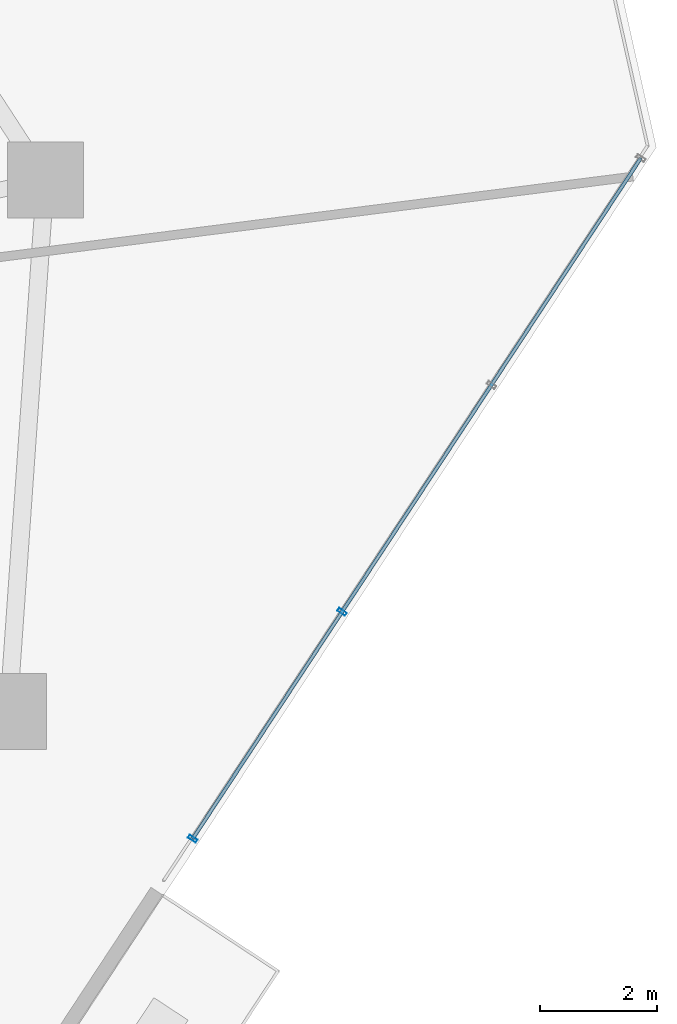
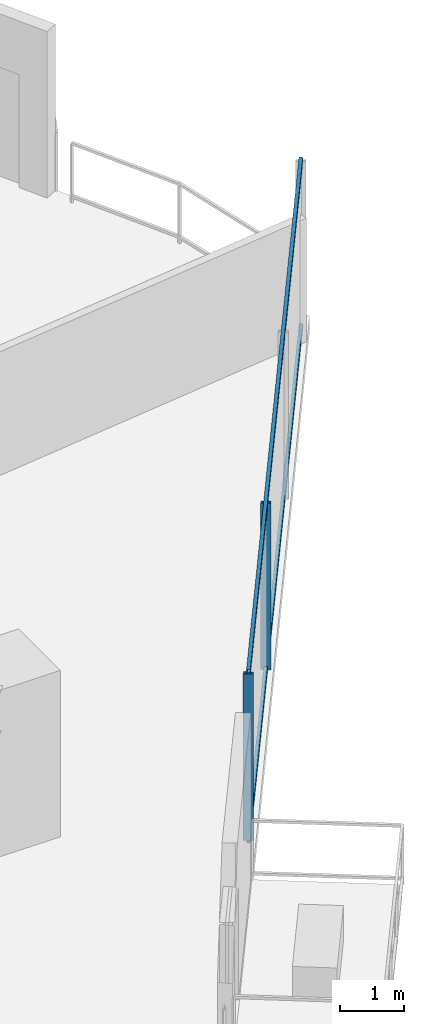
# One storey, part 11 of 28: 4 members, 1 element without a shape of its own.
"""IFC4 building model written with IfcOpenShell, lengths in metres."""

from ifc_helpers import new_model, si_unit, direction, frame, origin, origin_2d, place, context, subcontext, project, spatial, hollow_rectangle, extrude, material, layer, layer_set, material_profile, profile_set, type_object, element, aggregate, save


model = new_model("IFC4")

# Units and contexts
model_context = context("Model", 3, precision=1e-05, world=origin(), true_north=direction((0.0, 1.0)))
body_context = subcontext(model_context, "Body", "Model", "MODEL_VIEW")
ifc_project = project(units=[si_unit("LENGTHUNIT", "METRE"), si_unit("AREAUNIT", "SQUARE_METRE"), si_unit("VOLUMEUNIT", "CUBIC_METRE"), si_unit("PLANEANGLEUNIT", "RADIAN"), si_unit("MASSUNIT", "GRAM", prefix="KILO")], contexts=[model_context])

# Site, building, storey
site_placement = place(None, origin())
site = spatial("IfcSite", under=ifc_project, at=site_placement, CompositionType="ELEMENT")
building_placement = place(site_placement, origin())
building = spatial("IfcBuilding", under=site, at=building_placement, Name="Qarnah Convention Tower", CompositionType="ELEMENT")
storey_placement = place(building_placement, frame((0.0, 0.0, 54.60009765625)))
storey = spatial("IfcBuildingStorey", under=building, at=storey_placement, Name="L13", CompositionType="ELEMENT", Elevation=54.60009765625)

# Curtain wall, members
ifc_material_1 = material(Name="Tempered Low-E dark glass", Category="glass")
ifc_layer = layer(ifc_material_1, 0.16796875)
ifc_layer_set = layer_set([ifc_layer], Name="Tempered Low-E dark glass")
curtain_wall_type = type_object("IfcCurtainWallType", Name="CWS-01", PredefinedType="NOTDEFINED", material=ifc_layer_set)
curtain_wall_placement = place(storey_placement, origin())
curtain_wall = element("IfcCurtainWall", 1, at=curtain_wall_placement, inside=storey, type_object=curtain_wall_type, Name="L13 unitised curtain wall CW-L13-F3", PredefinedType="NOTDEFINED")
ifc_material_2 = material(Name="Black anodised aluminium", Category="aluminium")
ifc_material_profile_1 = material_profile(ifc_material_2, hollow_rectangle(XDim=0.06005859375, YDim=0.159912109375, WallThickness=0.00390625, at=origin_2d()), Name="MUL-60X160")
ifc_profile_set_1 = profile_set([ifc_material_profile_1], Name="Black anodised aluminium")
member_type_1 = type_object("IfcMemberType", Name="MUL-T1", PredefinedType="MULLION", material=ifc_profile_set_1)
member_1_placement = place(storey_placement, frame((58.46728515625, 22.44775390625, 0.0), z_axis=(0.0, 0.0, 1.0), x_axis=(-0.549912553772, -0.835222235817, 0.0)))
member_1 = element("IfcMember", 2, at=member_1_placement, type_object=member_type_1, Name="CW-L13-F3 mullion 3", PredefinedType="MULLION", context=body_context, shape_type="SweptSolid", body=[
    extrude(hollow_rectangle(XDim=0.06005859375, YDim=0.159912109375, WallThickness=0.00390625, at=origin_2d()), origin(), (0.0, 0.0, 1.0), 3.169921875),
])
member_2_placement = place(storey_placement, frame((55.908935546875, 18.56201171875, 0.0), z_axis=(0.0, 0.0, 1.0), x_axis=(-0.549912553772, -0.835222235817, 0.0)))
member_2 = element("IfcMember", 3, at=member_2_placement, type_object=member_type_1, Name="CW-L13-F3 mullion 4", PredefinedType="MULLION", context=body_context, shape_type="SweptSolid", body=[
    extrude(hollow_rectangle(XDim=0.06005859375, YDim=0.159912109375, WallThickness=0.00390625, at=origin_2d()), origin(), (0.0, 0.0, 1.0), 3.169921875),
])
ifc_material_profile_2 = material_profile(ifc_material_2, hollow_rectangle(XDim=0.06005859375, YDim=0.1298828125, WallThickness=0.00390625, at=origin_2d()), Name="TRN-60X130")
ifc_profile_set_2 = profile_set([ifc_material_profile_2], Name="Black anodised aluminium")
member_type_2 = type_object("IfcMemberType", Name="TRN-T1", PredefinedType="USERDEFINED", material=ifc_profile_set_2)
member_3_placement = place(storey_placement, frame((63.583984375, 30.218994140625, 0.0), z_axis=(-0.54991557403, -0.835220247264, 0.0), x_axis=(0.835220247264, -0.54991557403, 0.0)))
member_3 = element("IfcMember", 4, at=member_3_placement, type_object=member_type_2, Name="CW-L13-F3 transom 1", ObjectType="TRANSOM", PredefinedType="USERDEFINED", context=body_context, shape_type="SweptSolid", body=[
    extrude(hollow_rectangle(XDim=0.06005859375, YDim=0.1298828125, WallThickness=0.00390625, at=origin_2d()), origin(), (0.0, 0.0, 1.0), 13.956787109375),
])
member_4_placement = place(storey_placement, frame((63.583984375, 30.218994140625, 3.169921875), z_axis=(-0.54991557403, -0.835220247264, 0.0), x_axis=(0.835220247264, -0.54991557403, 0.0)))
member_4 = element("IfcMember", 5, at=member_4_placement, type_object=member_type_2, Name="CW-L13-F3 transom 2", ObjectType="TRANSOM", PredefinedType="USERDEFINED", context=body_context, shape_type="SweptSolid", body=[
    extrude(hollow_rectangle(XDim=0.06005859375, YDim=0.1298828125, WallThickness=0.00390625, at=origin_2d()), origin(), (0.0, 0.0, 1.0), 13.956787109375),
])
aggregate(curtain_wall, [member_1, member_2, member_3, member_4])

save(model, "model.ifc")
